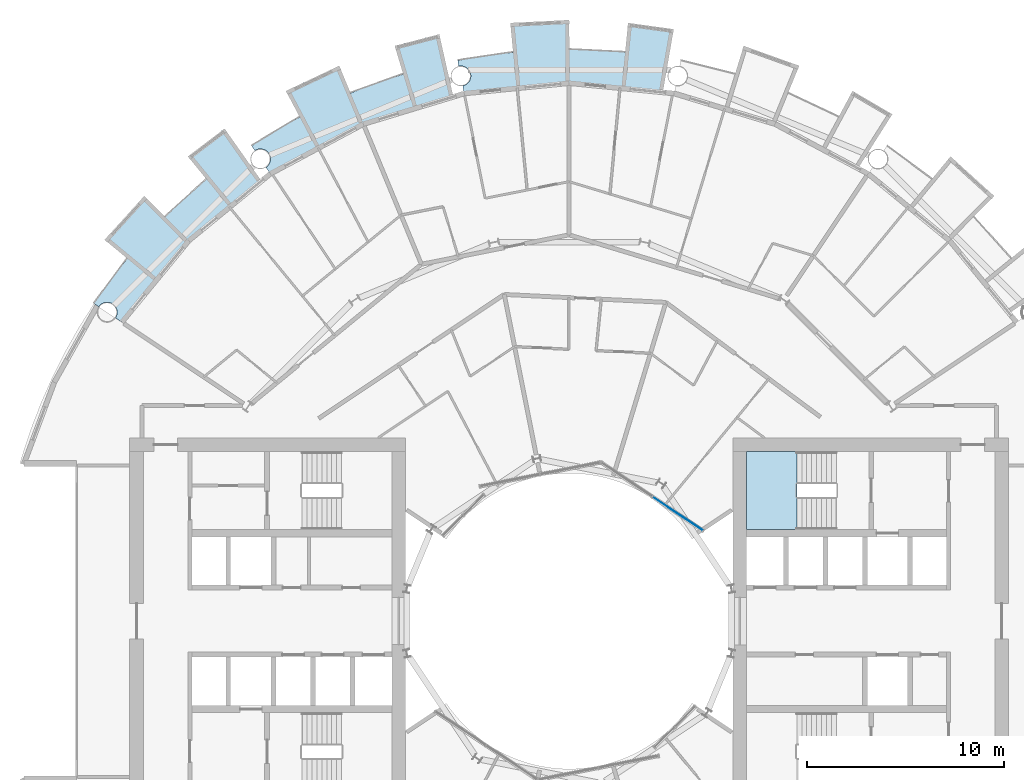
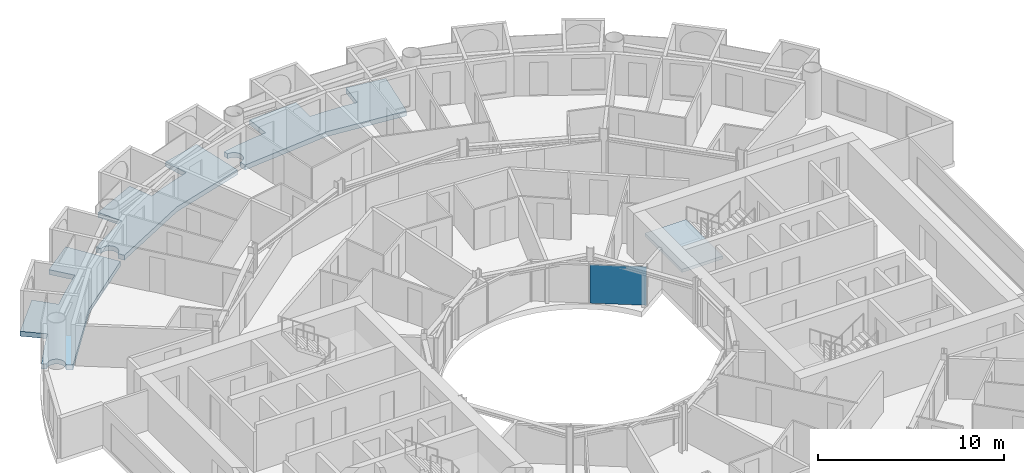
# One storey, part 11 of 25: 4 slabs, 1 plate, 2 elements without a shape of their own.
"""IFC4 building model written with IfcOpenShell, lengths in metres."""

from ifc_helpers import new_model, si_unit, direction, frame, origin, origin_2d, place, context, subcontext, project, spatial, polyline, rectangle, outline, extrude, material, layer, layer_set, type_object, element, aggregate, save


model = new_model("IFC4")

# Units and contexts
model_context = context("Model", 3, precision=1e-05, world=origin(), true_north=direction((0.0, 1.0)))
body_context = subcontext(model_context, "Body", "Model", "MODEL_VIEW")
ifc_project = project(units=[si_unit("LENGTHUNIT", "METRE"), si_unit("AREAUNIT", "SQUARE_METRE"), si_unit("VOLUMEUNIT", "CUBIC_METRE"), si_unit("PLANEANGLEUNIT", "RADIAN"), si_unit("MASSUNIT", "GRAM", prefix="KILO")], contexts=[model_context])

# Site, building, storey
site_placement = place(None, origin())
site = spatial("IfcSite", under=ifc_project, at=site_placement, CompositionType="ELEMENT")
building_placement = place(site_placement, origin())
building = spatial("IfcBuilding", under=site, at=building_placement, Name="Maasbend Ring Residences", CompositionType="ELEMENT")
storey_placement = place(building_placement, frame((0.0, 0.0, 94.10009765625)))
storey = spatial("IfcBuildingStorey", under=building, at=storey_placement, Name="L27", CompositionType="ELEMENT", Elevation=94.10009765625)

# Stair, slab
ifc_material_1 = material(Name="Concrete C40/50", Category="concrete")
stair_type = type_object("IfcStairType", Name="CORE STAIR 18 RISERS", PredefinedType="HALF_TURN_STAIR", material=ifc_material_1)
stair_placement = place(storey_placement, origin())
stair = element("IfcStair", 1, at=stair_placement, inside=storey, type_object=stair_type, Name="L27 Exit stair ST-E1", PredefinedType="HALF_TURN_STAIR")
ifc_material_2 = material(Name="Concrete C40/50", Category="concrete")
ifc_layer_1 = layer(ifc_material_2, 0.199951171875)
ifc_layer_set_1 = layer_set([ifc_layer_1], Name="Concrete C40/50")
slab_type_1 = type_object("IfcSlabType", Name="CORE STAIR LANDING 200", PredefinedType="LANDING", material=ifc_layer_set_1)
slab_1_placement = place(storey_placement, frame((0.0, 0.0, 1.324951171875)))
slab_1 = element("IfcSlab", 2, at=slab_1_placement, type_object=slab_type_1, Name="ST-E1 landing 1", PredefinedType="LANDING", context=body_context, shape_type="SweptSolid", body=[
    extrude(outline(polyline([(11.550048828125, 8.60009765625), (9.0, 8.60009765625), (9.0, 4.64990234375), (11.550048828125, 4.64990234375), (11.550048828125, 8.60009765625)])), origin(), (0.0, 0.0, 1.0), 0.199951171875),
])
aggregate(stair, [slab_1])

# Curtain wall, plate
ifc_material_3 = material(Name="Aluminium and clear glass", Category="aluminium")
ifc_layer_2 = layer(ifc_material_3, 0.179931640625)
ifc_layer_set_2 = layer_set([ifc_layer_2], Name="CW-W")
curtain_wall_type = type_object("IfcCurtainWallType", Name="CW-W", PredefinedType="NOTDEFINED", material=ifc_layer_set_2)
curtain_wall_placement = place(storey_placement, origin())
curtain_wall = element("IfcCurtainWall", 3, at=curtain_wall_placement, inside=storey, type_object=curtain_wall_type, Name="Well curtain wall N1", PredefinedType="NOTDEFINED")
ifc_material_4 = material(Name="Glass clear laminated", Category="glass")
ifc_layer_3 = layer(ifc_material_4, 0.031982421875)
ifc_layer_set_3 = layer_set([ifc_layer_3], Name="CWP-W")
plate_type = type_object("IfcPlateType", Name="CWP-W", PredefinedType="CURTAIN_PANEL", material=ifc_layer_set_3)
plate_placement = place(storey_placement, frame((5.51123046875, 5.44580078125, 0.0), z_axis=(0.0, 0.0, 1.0), x_axis=(-0.831469612303, 0.55557023302, 0.0)))
plate = element("IfcPlate", 4, at=plate_placement, type_object=plate_type, Name="Glass panel well face", PredefinedType="CURTAIN_PANEL", context=body_context, shape_type="SweptSolid", body=[
    extrude(rectangle(XDim=3.053955078125, YDim=0.031982421875, at=origin_2d()), origin(), (0.0, 0.0, 1.0), 2.530029296875),
])
aggregate(curtain_wall, [plate])

# Slabs
ifc_material_5 = material(Name="Concrete C40/50", Category="concrete")
ifc_layer_4 = layer(ifc_material_5, 0.199951171875)
ifc_layer_set_4 = layer_set([ifc_layer_4], Name="Concrete C40/50")
slab_type_2 = type_object("IfcSlabType", Name="SL-LOGGIA", PredefinedType="FLOOR", material=ifc_layer_set_4)
slab_2_placement = place(storey_placement, frame((0.0, 0.0, -0.35009765625)))
element("IfcSlab", 5, at=slab_2_placement, inside=storey, type_object=slab_type_2, Name="Loggia floor 1", PredefinedType="FLOOR", context=body_context, shape_type="SweptSolid", body=[
    extrude(outline(polyline([(-14.5, 25.114990234375), (-13.6708984375, 25.574951171875), (-13.6708984375, 25.575927734375), (-13.6708984375, 25.575927734375), (-13.6708984375, 25.575927734375), (-13.6708984375, 25.575927734375), (-13.6708984375, 25.575927734375), (-13.6708984375, 25.575927734375), (-13.6708984375, 25.575927734375), (-13.6708984375, 25.575927734375), (-13.6708984375, 25.575927734375), (-13.6708984375, 25.575927734375), (-13.6708984375, 25.575927734375), (-13.6708984375, 25.575927734375), (-13.6708984375, 25.575927734375), (-13.6708984375, 25.575927734375), (-13.6708984375, 25.575927734375), (-13.6708984375, 25.575927734375), (-14.3779296875, 26.89892578125), (-14.3779296875, 26.89892578125), (-14.3779296875, 26.89892578125), (-11.672119140625, 28.177978515625), (-11.672119140625, 28.177978515625), (-11.672119140625, 28.177978515625), (-11.097900390625, 26.79296875), (-11.097900390625, 26.79296875), (-11.097900390625, 26.79296875), (-11.097900390625, 26.79296875), (-11.097900390625, 26.79296875), (-11.097900390625, 26.79296875), (-11.097900390625, 26.79296875), (-11.097900390625, 26.79296875), (-11.097900390625, 26.79296875), (-11.097900390625, 26.79296875), (-11.097900390625, 26.79296875), (-11.097900390625, 26.79296875), (-11.097900390625, 26.79296875), (-11.097900390625, 26.79296875), (-11.096923828125, 26.79296875), (-11.096923828125, 26.79296875), (-11.096923828125, 26.79296875), (-10.215087890625, 27.14111328125), (-10.215087890625, 27.14111328125), (-9.322021484375, 27.4609375), (-9.322021484375, 27.4609375), (-8.4189453125, 27.7509765625), (-8.4189453125, 27.7509765625), (-8.4189453125, 27.7509765625), (-8.4189453125, 27.7509765625), (-8.4189453125, 27.7509765625), (-8.4189453125, 27.7509765625), (-8.41796875, 27.7509765625), (-8.41796875, 27.7509765625), (-8.41796875, 27.7509765625), (-8.41796875, 27.7509765625), (-8.41796875, 27.7509765625), (-8.41796875, 27.751953125), (-8.41796875, 27.751953125), (-8.41796875, 27.751953125), (-8.41796875, 27.751953125), (-8.41796875, 27.751953125), (-8.41796875, 27.751953125), (-8.85400390625, 29.18701171875), (-8.85400390625, 29.18701171875), (-8.85400390625, 29.18701171875), (-6.593994140625, 29.779052734375), (-6.593994140625, 29.779052734375), (-6.593994140625, 29.779052734375), (-5.89111328125, 26.60400390625), (-5.89111328125, 26.60400390625), (-5.89111328125, 26.60400390625), (-7.886962890625, 25.9990234375), (-10.447021484375, 25.221923828125), (-10.447021484375, 25.221923828125), (-10.447021484375, 25.221923828125), (-12.806884765625, 23.9609375), (-15.1669921875, 22.698974609375), (-15.1669921875, 22.698974609375), (-15.1669921875, 22.698974609375), (-15.385009765625, 23.02490234375), (-15.375, 23.031982421875), (-15.364013671875, 23.0390625), (-15.35498046875, 23.047119140625), (-15.344970703125, 23.054931640625), (-15.3349609375, 23.06298828125), (-15.325927734375, 23.071044921875), (-15.31689453125, 23.0791015625), (-15.30810546875, 23.087890625), (-15.299072265625, 23.096923828125), (-15.291015625, 23.10595703125), (-15.281982421875, 23.115966796875), (-15.27392578125, 23.125), (-15.26708984375, 23.135009765625), (-15.259033203125, 23.14501953125), (-15.251953125, 23.155029296875), (-15.2451171875, 23.1650390625), (-15.238037109375, 23.176025390625), (-15.23095703125, 23.18603515625), (-15.22509765625, 23.197021484375), (-15.218994140625, 23.2080078125), (-15.212890625, 23.218994140625), (-15.2080078125, 23.22998046875), (-15.202880859375, 23.241943359375), (-15.197998046875, 23.2529296875), (-15.193115234375, 23.264892578125), (-15.18896484375, 23.27587890625), (-15.18505859375, 23.2880859375), (-15.180908203125, 23.300048828125), (-15.177978515625, 23.31201171875), (-15.174072265625, 23.323974609375), (-15.1708984375, 23.3359375), (-15.1689453125, 23.347900390625), (-15.1669921875, 23.361083984375), (-15.1650390625, 23.373046875), (-15.1630859375, 23.385009765625), (-15.162109375, 23.39794921875), (-15.159912109375, 23.409912109375), (-15.159912109375, 23.422119140625), (-15.158935546875, 23.43505859375), (-15.158935546875, 23.447021484375), (-15.158935546875, 23.4599609375), (-15.159912109375, 23.471923828125), (-15.159912109375, 23.485107421875), (-15.162109375, 23.4970703125), (-15.1630859375, 23.510009765625), (-15.1650390625, 23.52197265625), (-15.1669921875, 23.533935546875), (-15.1689453125, 23.547119140625), (-15.1708984375, 23.55908203125), (-15.174072265625, 23.571044921875), (-15.177978515625, 23.5830078125), (-15.180908203125, 23.594970703125), (-15.18505859375, 23.60693359375), (-15.18896484375, 23.618896484375), (-15.193115234375, 23.6298828125), (-15.197998046875, 23.64208984375), (-15.202880859375, 23.653076171875), (-15.2080078125, 23.6650390625), (-15.212890625, 23.676025390625), (-15.218994140625, 23.68701171875), (-15.22509765625, 23.697998046875), (-15.23095703125, 23.708984375), (-15.238037109375, 23.718994140625), (-15.2451171875, 23.72998046875), (-15.251953125, 23.739990234375), (-15.259033203125, 23.75), (-15.26708984375, 23.760009765625), (-15.27392578125, 23.77001953125), (-15.281982421875, 23.779052734375), (-15.291015625, 23.7890625), (-15.299072265625, 23.798095703125), (-15.30810546875, 23.806884765625), (-15.31689453125, 23.81494140625), (-15.325927734375, 23.823974609375), (-15.3349609375, 23.83203125), (-15.344970703125, 23.840087890625), (-15.35498046875, 23.847900390625), (-15.364013671875, 23.85498046875), (-15.375, 23.863037109375), (-15.385009765625, 23.8701171875), (-15.39501953125, 23.876953125), (-15.406005859375, 23.883056640625), (-15.4169921875, 23.888916015625), (-15.427978515625, 23.89501953125), (-15.43896484375, 23.90087890625), (-15.449951171875, 23.906982421875), (-15.4609375, 23.912109375), (-15.472900390625, 23.9169921875), (-15.48388671875, 23.9208984375), (-15.49609375, 23.926025390625), (-15.508056640625, 23.929931640625), (-15.52001953125, 23.93408203125), (-15.531982421875, 23.93701171875), (-15.5439453125, 23.93994140625), (-15.555908203125, 23.943115234375), (-15.568115234375, 23.946044921875), (-15.580078125, 23.947998046875), (-15.593017578125, 23.949951171875), (-15.60498046875, 23.951904296875), (-15.616943359375, 23.952880859375), (-15.6298828125, 23.9541015625), (-15.64208984375, 23.955078125), (-15.655029296875, 23.955078125), (-15.6669921875, 23.955078125), (-15.679931640625, 23.955078125), (-15.69189453125, 23.955078125), (-15.7041015625, 23.9541015625), (-15.717041015625, 23.952880859375), (-15.72900390625, 23.951904296875), (-15.741943359375, 23.949951171875), (-15.75390625, 23.947998046875), (-15.76611328125, 23.946044921875), (-15.778076171875, 23.943115234375), (-15.791015625, 23.93994140625), (-15.802978515625, 23.93701171875), (-15.81494140625, 23.93408203125), (-15.825927734375, 23.929931640625), (-15.837890625, 23.926025390625), (-15.85009765625, 23.9208984375), (-15.862060546875, 23.9169921875), (-15.873046875, 23.912109375), (-15.884033203125, 23.906982421875), (-15.89599609375, 23.90087890625), (-15.906982421875, 23.89501953125), (-15.9169921875, 23.888916015625), (-15.927978515625, 23.883056640625), (-15.93896484375, 23.876953125), (-15.948974609375, 23.8701171875), (-16.112060546875, 24.113037109375), (-16.112060546875, 24.113037109375), (-16.112060546875, 24.113037109375), (-15.31396484375, 24.626953125), (-15.31396484375, 24.626953125), (-14.5, 25.114990234375), (-14.5, 25.114990234375)])), origin(), (0.0, 0.0, 1.0), 0.320068359375),
])
slab_3_placement = place(storey_placement, frame((0.0, 0.0, -0.35009765625)))
element("IfcSlab", 6, at=slab_3_placement, inside=storey, type_object=slab_type_2, Name="Loggia floor 3", PredefinedType="FLOOR", context=body_context, shape_type="SweptSolid", body=[
    extrude(outline(polyline([(-3.784912109375, 28.751953125), (-2.843017578125, 28.860107421875), (-2.843017578125, 28.860107421875), (-2.843017578125, 28.860107421875), (-2.843017578125, 28.860107421875), (-2.843017578125, 28.860107421875), (-2.843017578125, 28.860107421875), (-2.843017578125, 28.860107421875), (-2.843017578125, 28.860107421875), (-2.843017578125, 28.860107421875), (-2.843017578125, 28.861083984375), (-2.843017578125, 28.861083984375), (-2.843017578125, 28.861083984375), (-2.843017578125, 28.861083984375), (-2.843017578125, 28.861083984375), (-2.843017578125, 28.861083984375), (-2.843017578125, 28.861083984375), (-2.843017578125, 28.861083984375), (-2.989990234375, 30.35302734375), (-2.989990234375, 30.35302734375), (-2.989990234375, 30.35302734375), (0.0, 30.5), (0.0, 30.5), (0.0, 30.5), (0.0, 29.0), (0.0, 29.0), (0.0, 29.0), (0.0, 29.0), (0.0, 29.0), (0.0, 29.0), (0.0, 29.0), (0.0, 29.0), (0.0, 29.0), (0.0, 29.0), (0.0, 29.0), (0.0, 29.0), (0.0, 29.0), (0.0, 29.0), (0.0, 29.0), (0.0, 29.0), (0.0, 29.0), (0.948974609375, 28.98388671875), (0.948974609375, 28.98388671875), (1.89697265625, 28.93798828125), (1.89697265625, 28.93798828125), (2.842041015625, 28.860107421875), (2.842041015625, 28.860107421875), (2.842041015625, 28.860107421875), (2.842041015625, 28.860107421875), (2.842041015625, 28.860107421875), (2.842041015625, 28.860107421875), (2.842041015625, 28.860107421875), (2.842041015625, 28.860107421875), (2.842041015625, 28.861083984375), (2.842041015625, 28.861083984375), (2.842041015625, 28.861083984375), (2.842041015625, 28.861083984375), (2.842041015625, 28.861083984375), (2.843017578125, 28.861083984375), (2.843017578125, 28.861083984375), (2.843017578125, 28.861083984375), (2.843017578125, 28.861083984375), (2.989990234375, 30.35302734375), (2.989990234375, 30.35302734375), (2.989990234375, 30.35302734375), (5.303955078125, 30.034912109375), (5.303955078125, 30.034912109375), (5.303955078125, 30.034912109375), (4.739013671875, 26.8330078125), (4.739013671875, 26.8330078125), (4.739013671875, 26.8330078125), (2.6630859375, 27.0380859375), (0.0, 27.300048828125), (0.0, 27.300048828125), (0.0, 27.300048828125), (-2.6630859375, 27.0380859375), (-5.325927734375, 26.77490234375), (-5.325927734375, 26.77490234375), (-5.325927734375, 26.77490234375), (-5.402099609375, 27.159912109375), (-5.402099609375, 27.159912109375), (-5.389892578125, 27.162109375), (-5.3779296875, 27.1650390625), (-5.365966796875, 27.1689453125), (-5.35400390625, 27.172119140625), (-5.342041015625, 27.176025390625), (-5.330078125, 27.179931640625), (-5.319091796875, 27.18408203125), (-5.306884765625, 27.18896484375), (-5.2958984375, 27.194091796875), (-5.283935546875, 27.198974609375), (-5.27294921875, 27.2041015625), (-5.261962890625, 27.2099609375), (-5.2509765625, 27.216064453125), (-5.239990234375, 27.221923828125), (-5.22998046875, 27.22900390625), (-5.218994140625, 27.236083984375), (-5.208984375, 27.242919921875), (-5.198974609375, 27.25), (-5.18896484375, 27.258056640625), (-5.178955078125, 27.264892578125), (-5.169921875, 27.27294921875), (-5.159912109375, 27.281982421875), (-5.15087890625, 27.2900390625), (-5.14208984375, 27.299072265625), (-5.134033203125, 27.30810546875), (-5.125, 27.31689453125), (-5.116943359375, 27.325927734375), (-5.10888671875, 27.3359375), (-5.10107421875, 27.345947265625), (-5.093017578125, 27.35498046875), (-5.0859375, 27.365966796875), (-5.0791015625, 27.3759765625), (-5.072021484375, 27.385986328125), (-5.06591796875, 27.39697265625), (-5.05908203125, 27.407958984375), (-5.052978515625, 27.4189453125), (-5.048095703125, 27.429931640625), (-5.0419921875, 27.44091796875), (-5.037109375, 27.451904296875), (-5.031982421875, 27.464111328125), (-5.028076171875, 27.47509765625), (-5.02294921875, 27.487060546875), (-5.01904296875, 27.4990234375), (-5.014892578125, 27.510986328125), (-5.011962890625, 27.52294921875), (-5.009033203125, 27.534912109375), (-5.006103515625, 27.547119140625), (-5.0029296875, 27.55908203125), (-5.0009765625, 27.571044921875), (-4.9990234375, 27.583984375), (-4.9970703125, 27.595947265625), (-4.99609375, 27.60791015625), (-4.9951171875, 27.62109375), (-4.993896484375, 27.633056640625), (-4.993896484375, 27.64599609375), (-4.993896484375, 27.657958984375), (-4.993896484375, 27.6708984375), (-4.993896484375, 27.68310546875), (-4.9951171875, 27.695068359375), (-4.99609375, 27.7080078125), (-4.9970703125, 27.719970703125), (-4.9990234375, 27.73291015625), (-5.0009765625, 27.7451171875), (-5.0029296875, 27.757080078125), (-5.006103515625, 27.76904296875), (-5.009033203125, 27.781982421875), (-5.011962890625, 27.7939453125), (-5.014892578125, 27.805908203125), (-5.01904296875, 27.81689453125), (-5.02294921875, 27.8291015625), (-5.028076171875, 27.841064453125), (-5.031982421875, 27.85302734375), (-5.037109375, 27.864013671875), (-5.0419921875, 27.875), (-5.048095703125, 27.886962890625), (-5.052978515625, 27.89794921875), (-5.05908203125, 27.907958984375), (-5.06591796875, 27.9189453125), (-5.072021484375, 27.929931640625), (-5.0791015625, 27.93994140625), (-5.0859375, 27.950927734375), (-5.093017578125, 27.9609375), (-5.10107421875, 27.970947265625), (-5.10888671875, 27.97998046875), (-5.116943359375, 27.989990234375), (-5.125, 27.9990234375), (-5.134033203125, 28.008056640625), (-5.14208984375, 28.01708984375), (-5.15087890625, 28.02587890625), (-5.159912109375, 28.034912109375), (-5.169921875, 28.04296875), (-5.178955078125, 28.051025390625), (-5.18896484375, 28.05908203125), (-5.198974609375, 28.06591796875), (-5.208984375, 28.072998046875), (-5.218994140625, 28.080078125), (-5.22998046875, 28.0869140625), (-5.239990234375, 28.093994140625), (-5.2509765625, 28.10009765625), (-5.261962890625, 28.10595703125), (-5.27294921875, 28.112060546875), (-5.283935546875, 28.116943359375), (-5.2958984375, 28.123046875), (-5.306884765625, 28.126953125), (-5.319091796875, 28.132080078125), (-5.330078125, 28.135986328125), (-5.342041015625, 28.139892578125), (-5.35400390625, 28.14404296875), (-5.365966796875, 28.14794921875), (-5.3779296875, 28.15087890625), (-5.389892578125, 28.154052734375), (-5.402099609375, 28.156005859375), (-5.4150390625, 28.158935546875), (-5.427001953125, 28.160888671875), (-5.43896484375, 28.162109375), (-5.451904296875, 28.1640625), (-5.464111328125, 28.1650390625), (-5.47705078125, 28.1650390625), (-5.489013671875, 28.166015625), (-5.501953125, 28.166015625), (-5.513916015625, 28.166015625), (-5.52587890625, 28.1650390625), (-5.5390625, 28.1650390625), (-5.551025390625, 28.1640625), (-5.56396484375, 28.162109375), (-5.575927734375, 28.160888671875), (-5.587890625, 28.158935546875), (-5.60107421875, 28.156005859375), (-5.60107421875, 28.156005859375), (-5.657958984375, 28.443115234375), (-5.657958984375, 28.443115234375), (-5.657958984375, 28.443115234375), (-4.72412109375, 28.613037109375), (-4.72412109375, 28.613037109375), (-3.784912109375, 28.751953125), (-3.784912109375, 28.751953125)])), origin(), (0.0, 0.0, 1.0), 0.320068359375),
])
slab_4_placement = place(storey_placement, frame((0.0, 0.0, -0.35009765625)))
element("IfcSlab", 7, at=slab_4_placement, inside=storey, type_object=slab_type_2, Name="Loggia floor 5", PredefinedType="FLOOR", context=body_context, shape_type="SweptSolid", body=[
    extrude(outline(polyline([(-23.007080078125, 17.654052734375), (-22.41796875, 18.39697265625), (-22.41796875, 18.39697265625), (-22.41796875, 18.39697265625), (-22.41796875, 18.39697265625), (-22.41796875, 18.39697265625), (-22.41796875, 18.39697265625), (-22.41796875, 18.39697265625), (-22.41796875, 18.39697265625), (-22.41796875, 18.39697265625), (-22.41796875, 18.39697265625), (-22.41796875, 18.39697265625), (-22.41796875, 18.39794921875), (-22.41796875, 18.39794921875), (-22.41796875, 18.39794921875), (-22.41796875, 18.39794921875), (-22.41796875, 18.39794921875), (-22.41796875, 18.39794921875), (-23.576904296875, 19.34912109375), (-23.576904296875, 19.34912109375), (-23.576904296875, 19.34912109375), (-21.56689453125, 21.56689453125), (-21.56689453125, 21.56689453125), (-21.56689453125, 21.56689453125), (-20.506103515625, 20.506103515625), (-20.506103515625, 20.506103515625), (-20.506103515625, 20.506103515625), (-20.506103515625, 20.506103515625), (-20.506103515625, 20.506103515625), (-20.506103515625, 20.506103515625), (-20.506103515625, 20.506103515625), (-20.506103515625, 20.506103515625), (-20.506103515625, 20.506103515625), (-20.506103515625, 20.506103515625), (-20.506103515625, 20.506103515625), (-20.506103515625, 20.506103515625), (-20.506103515625, 20.506103515625), (-20.506103515625, 20.506103515625), (-20.506103515625, 20.506103515625), (-20.506103515625, 20.506103515625), (-20.506103515625, 20.506103515625), (-19.823974609375, 21.166015625), (-19.823974609375, 21.166015625), (-19.12109375, 21.802978515625), (-19.12109375, 21.802978515625), (-18.39794921875, 22.4169921875), (-18.39794921875, 22.4169921875), (-18.39794921875, 22.4169921875), (-18.39794921875, 22.4169921875), (-18.39794921875, 22.4169921875), (-18.39794921875, 22.4169921875), (-18.39794921875, 22.4169921875), (-18.39794921875, 22.4169921875), (-18.39794921875, 22.4169921875), (-18.39794921875, 22.4169921875), (-18.39794921875, 22.4169921875), (-18.39794921875, 22.4169921875), (-18.39794921875, 22.41796875), (-18.39794921875, 22.41796875), (-18.39794921875, 22.41796875), (-18.39794921875, 22.41796875), (-18.39794921875, 22.41796875), (-19.34912109375, 23.576904296875), (-19.34912109375, 23.576904296875), (-19.34912109375, 23.576904296875), (-17.488037109375, 24.989013671875), (-17.488037109375, 24.989013671875), (-17.488037109375, 24.989013671875), (-15.623046875, 22.324951171875), (-15.623046875, 22.324951171875), (-15.623046875, 22.324951171875), (-17.236083984375, 21.001953125), (-19.303955078125, 19.303955078125), (-19.303955078125, 19.303955078125), (-19.303955078125, 19.303955078125), (-21.001953125, 17.236083984375), (-22.698974609375, 15.1669921875), (-22.698974609375, 15.1669921875), (-22.698974609375, 15.1669921875), (-23.02490234375, 15.385009765625), (-23.02490234375, 15.385009765625), (-23.01806640625, 15.39501953125), (-23.011962890625, 15.406005859375), (-23.0048828125, 15.4169921875), (-22.9990234375, 15.427978515625), (-22.993896484375, 15.43896484375), (-22.988037109375, 15.449951171875), (-22.98291015625, 15.4609375), (-22.97802734375, 15.472900390625), (-22.972900390625, 15.48388671875), (-22.968994140625, 15.49609375), (-22.965087890625, 15.508056640625), (-22.9609375, 15.52001953125), (-22.9580078125, 15.531982421875), (-22.955078125, 15.5439453125), (-22.951904296875, 15.555908203125), (-22.948974609375, 15.568115234375), (-22.947021484375, 15.580078125), (-22.945068359375, 15.593017578125), (-22.943115234375, 15.60498046875), (-22.94189453125, 15.616943359375), (-22.94091796875, 15.6298828125), (-22.93994140625, 15.64208984375), (-22.93994140625, 15.655029296875), (-22.93896484375, 15.6669921875), (-22.93994140625, 15.679931640625), (-22.93994140625, 15.69189453125), (-22.94091796875, 15.7041015625), (-22.94189453125, 15.717041015625), (-22.943115234375, 15.72900390625), (-22.945068359375, 15.741943359375), (-22.947021484375, 15.75390625), (-22.948974609375, 15.76611328125), (-22.951904296875, 15.778076171875), (-22.955078125, 15.791015625), (-22.9580078125, 15.802978515625), (-22.9609375, 15.81494140625), (-22.965087890625, 15.825927734375), (-22.968994140625, 15.837890625), (-22.972900390625, 15.85009765625), (-22.97802734375, 15.862060546875), (-22.98291015625, 15.873046875), (-22.988037109375, 15.884033203125), (-22.993896484375, 15.89599609375), (-22.9990234375, 15.906982421875), (-23.0048828125, 15.9169921875), (-23.011962890625, 15.927978515625), (-23.01806640625, 15.93896484375), (-23.02490234375, 15.948974609375), (-23.031982421875, 15.9599609375), (-23.0390625, 15.969970703125), (-23.047119140625, 15.97998046875), (-23.054931640625, 15.989013671875), (-23.06298828125, 15.9990234375), (-23.071044921875, 16.008056640625), (-23.0791015625, 16.01708984375), (-23.087890625, 16.02587890625), (-23.096923828125, 16.034912109375), (-23.10595703125, 16.0439453125), (-23.115966796875, 16.052001953125), (-23.125, 16.06005859375), (-23.135009765625, 16.068115234375), (-23.14501953125, 16.074951171875), (-23.155029296875, 16.08203125), (-23.1650390625, 16.089111328125), (-23.176025390625, 16.095947265625), (-23.18603515625, 16.10302734375), (-23.197021484375, 16.10888671875), (-23.2080078125, 16.114990234375), (-23.218994140625, 16.12109375), (-23.22998046875, 16.1259765625), (-23.241943359375, 16.132080078125), (-23.2529296875, 16.135986328125), (-23.264892578125, 16.14111328125), (-23.27587890625, 16.14501953125), (-23.2880859375, 16.14892578125), (-23.300048828125, 16.153076171875), (-23.31201171875, 16.156982421875), (-23.323974609375, 16.159912109375), (-23.3359375, 16.1630859375), (-23.347900390625, 16.1650390625), (-23.361083984375, 16.16796875), (-23.373046875, 16.169921875), (-23.385009765625, 16.1708984375), (-23.39794921875, 16.173095703125), (-23.409912109375, 16.174072265625), (-23.422119140625, 16.174072265625), (-23.43505859375, 16.175048828125), (-23.447021484375, 16.175048828125), (-23.4599609375, 16.175048828125), (-23.471923828125, 16.174072265625), (-23.485107421875, 16.174072265625), (-23.4970703125, 16.173095703125), (-23.510009765625, 16.1708984375), (-23.52197265625, 16.169921875), (-23.533935546875, 16.16796875), (-23.547119140625, 16.1650390625), (-23.55908203125, 16.1630859375), (-23.571044921875, 16.159912109375), (-23.5830078125, 16.156982421875), (-23.594970703125, 16.153076171875), (-23.60693359375, 16.14892578125), (-23.618896484375, 16.14501953125), (-23.6298828125, 16.14111328125), (-23.64208984375, 16.135986328125), (-23.653076171875, 16.132080078125), (-23.6650390625, 16.1259765625), (-23.676025390625, 16.12109375), (-23.68701171875, 16.114990234375), (-23.697998046875, 16.10888671875), (-23.708984375, 16.10302734375), (-23.718994140625, 16.095947265625), (-23.72998046875, 16.089111328125), (-23.739990234375, 16.08203125), (-23.75, 16.074951171875), (-23.760009765625, 16.068115234375), (-23.77001953125, 16.06005859375), (-23.779052734375, 16.052001953125), (-23.7890625, 16.0439453125), (-23.798095703125, 16.034912109375), (-23.806884765625, 16.02587890625), (-23.81494140625, 16.01708984375), (-23.823974609375, 16.008056640625), (-23.83203125, 15.9990234375), (-23.840087890625, 15.989013671875), (-23.847900390625, 15.97998046875), (-23.85498046875, 15.969970703125), (-23.863037109375, 15.9599609375), (-23.8701171875, 15.948974609375), (-23.8701171875, 15.948974609375), (-24.113037109375, 16.112060546875), (-24.113037109375, 16.112060546875), (-24.113037109375, 16.112060546875), (-23.572998046875, 16.89208984375), (-23.572998046875, 16.89208984375), (-23.007080078125, 17.654052734375), (-23.007080078125, 17.654052734375)])), origin(), (0.0, 0.0, 1.0), 0.320068359375),
])

save(model, "model.ifc")
